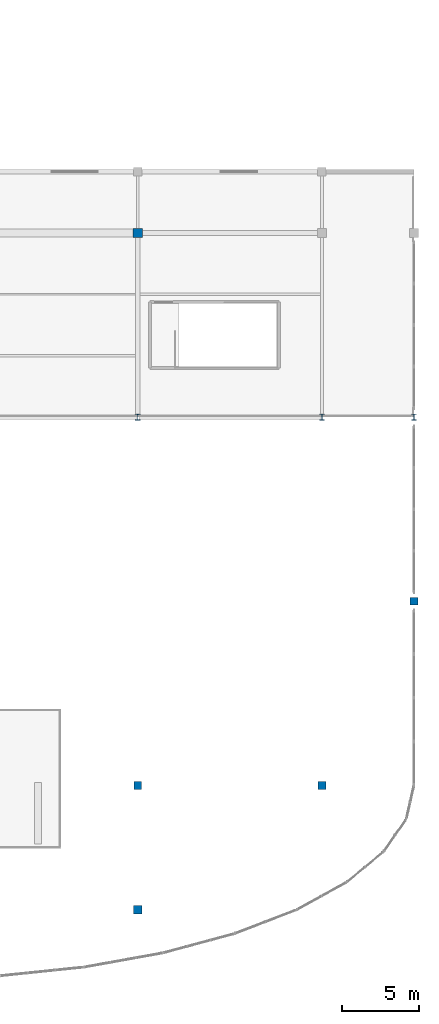
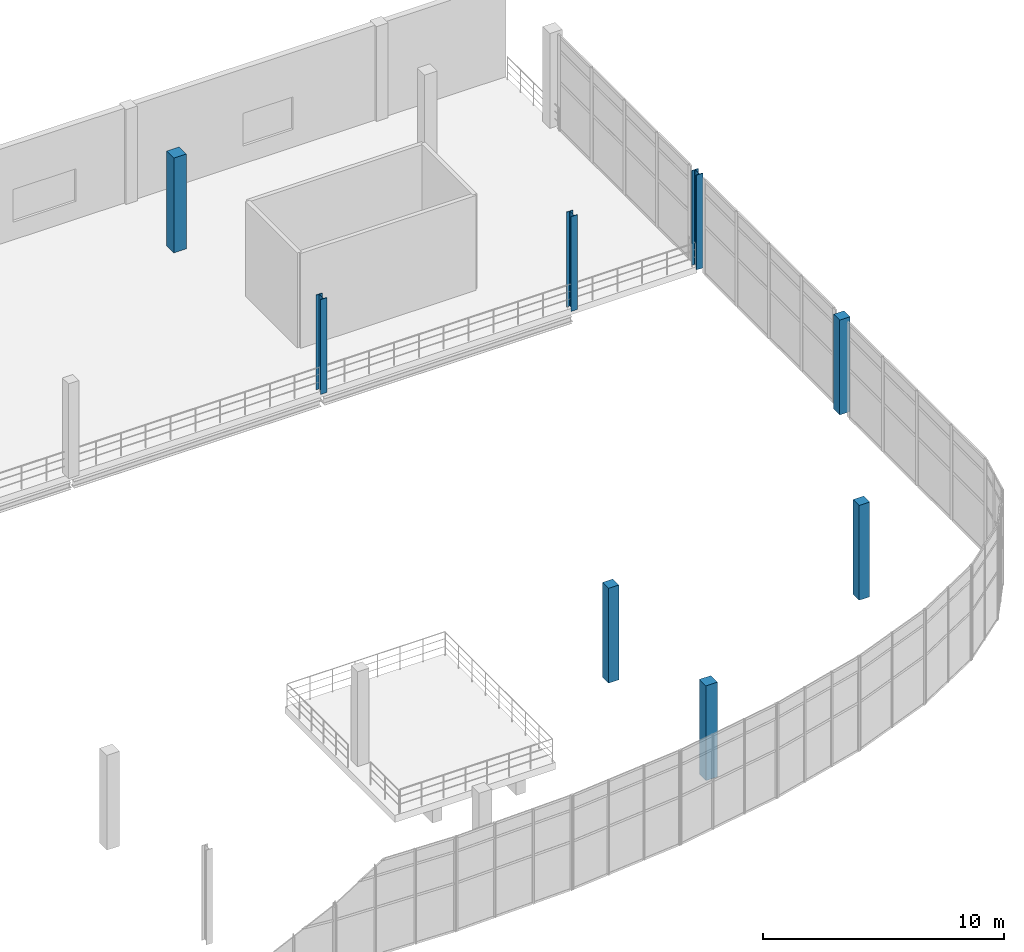
# One storey, part 14 of 52: 8 columns.
"""IFC4 building model written with IfcOpenShell, lengths in metres."""

from ifc_helpers import new_model, si_unit, direction, frame, origin, origin_2d, place, context, subcontext, project, spatial, rectangle, i_section, extrude, material, material_profile, profile_set, type_object, element, save


model = new_model("IFC4")

# Units and contexts
model_context = context("Model", 3, precision=1e-05, world=origin(), true_north=direction((0.0, 1.0)))
body_context = subcontext(model_context, "Body", "Model", "MODEL_VIEW")
ifc_project = project(units=[si_unit("LENGTHUNIT", "METRE"), si_unit("AREAUNIT", "SQUARE_METRE"), si_unit("VOLUMEUNIT", "CUBIC_METRE"), si_unit("PLANEANGLEUNIT", "RADIAN"), si_unit("MASSUNIT", "GRAM", prefix="KILO"), si_unit("THERMODYNAMICTEMPERATUREUNIT", "KELVIN"), si_unit("POWERUNIT", "WATT")], contexts=[model_context])

# Site, building, storey
site_placement = place(None, origin())
site = spatial("IfcSite", under=ifc_project, at=site_placement, CompositionType="ELEMENT")
building_placement = place(site_placement, origin())
building = spatial("IfcBuilding", under=site, at=building_placement, Name="Solmara Park Aquatics Centre", CompositionType="ELEMENT")
storey_placement = place(building_placement, frame((0.0, 0.0, 9.60009765625)))
storey = spatial("IfcBuildingStorey", under=building, at=storey_placement, Name="L02", CompositionType="ELEMENT", Elevation=9.60009765625)

# Columns
ifc_material_1 = material(Name="Structural Steel S355", Category="steel")
ifc_material_profile_1 = material_profile(ifc_material_1, i_section(OverallWidth=0.300048828125, OverallDepth=0.39990234375, WebThickness=0.013427734375, FlangeThickness=0.02392578125, FilletRadius=0.027099609375, at=origin_2d()), Name="HEB 400")
ifc_profile_set_1 = profile_set([ifc_material_profile_1], Name="Structural Steel S355")
column_type_1 = type_object("IfcColumnType", Name="STR-COL-HEB400", PredefinedType="COLUMN", material=ifc_profile_set_1)
for number, where, z_axis, x_axis, name in (
    (1, (144.0, 36.60009765625, 0.0), (0.0, 0.0, 1.0), (1.0, 0.0, 0.0), "Column L02-0552"),
    (2, (156.0, 36.60009765625, 0.0), (0.0, 0.0, 1.0), (1.0, 0.0, 0.0), "Column L02-0556"),
    (3, (162.0, 36.60009765625, 0.0), (0.0, 0.0, 1.0), (1.0, 0.0, 0.0), "Column L02-0560"),
):
    element("IfcColumn", number, at=place(storey_placement, frame(where, z_axis=z_axis, x_axis=x_axis)), inside=storey, type_object=column_type_1, Name=name, PredefinedType="COLUMN", context=body_context, shape_type="SweptSolid", body=[
        extrude(i_section(OverallWidth=0.300048828125, OverallDepth=0.39990234375, WebThickness=0.013427734375, FlangeThickness=0.02392578125, FilletRadius=0.027099609375, at=origin_2d()), origin(), (0.0, 0.0, 1.0), 4.7998046875),
    ])
ifc_material_2 = material(Name="Concrete C40/50", Category="concrete")
ifc_material_profile_2 = material_profile(ifc_material_2, rectangle(XDim=0.5, YDim=0.5, at=origin_2d()), Name="RC 500x500")
ifc_profile_set_2 = profile_set([ifc_material_profile_2], Name="Concrete C40/50")
column_type_2 = type_object("IfcColumnType", Name="STR-COL-RC500", PredefinedType="COLUMN", material=ifc_profile_set_2)
for number, where, z_axis, x_axis, name in (
    (4, (144.0, 12.60009765625, 0.0), (0.0, 0.0, 1.0), (1.0, 0.0, 0.0), "Column L02-0551"),
    (5, (156.0, 12.60009765625, 0.0), (0.0, 0.0, 1.0), (1.0, 0.0, 0.0), "Column L02-0555"),
    (6, (162.0, 24.60009765625, 0.0), (0.0, 0.0, 1.0), (1.0, 0.0, 0.0), "Column L02-0559"),
):
    element("IfcColumn", number, at=place(storey_placement, frame(where, z_axis=z_axis, x_axis=x_axis)), inside=storey, type_object=column_type_2, Name=name, PredefinedType="COLUMN", context=body_context, shape_type="SweptSolid", body=[
        extrude(rectangle(XDim=0.5, YDim=0.5, at=origin_2d()), origin(), (0.0, 0.0, 1.0), 4.7998046875),
    ])
ifc_material_profile_3 = material_profile(ifc_material_2, rectangle(XDim=0.550048828125, YDim=0.550048828125, at=origin_2d()), Name="RC 550x550")
ifc_profile_set_3 = profile_set([ifc_material_profile_3], Name="Concrete C40/50")
column_type_3 = type_object("IfcColumnType", Name="STR-COL-RC550", PredefinedType="COLUMN", material=ifc_profile_set_3)
column_1_placement = place(storey_placement, frame((144.0, 4.5, 0.0), z_axis=(0.0, 0.0, 1.0), x_axis=(1.0, 0.0, 0.0)))
element("IfcColumn", 7, at=column_1_placement, inside=storey, type_object=column_type_3, Name="Column L02-0550", PredefinedType="COLUMN", context=body_context, shape_type="SweptSolid", body=[
    extrude(rectangle(XDim=0.550048828125, YDim=0.550048828125, at=origin_2d()), origin(), (0.0, 0.0, 1.0), 4.7998046875),
])
ifc_material_profile_4 = material_profile(ifc_material_2, rectangle(XDim=0.60009765625, YDim=0.60009765625, at=origin_2d()), Name="RC 600x600")
ifc_profile_set_4 = profile_set([ifc_material_profile_4], Name="Concrete C40/50")
column_type_4 = type_object("IfcColumnType", Name="STR-COL-RC600", PredefinedType="COLUMN", material=ifc_profile_set_4)
column_2_placement = place(storey_placement, frame((144.0, 48.60009765625, 0.0), z_axis=(0.0, 0.0, 1.0), x_axis=(1.0, 0.0, 0.0)))
element("IfcColumn", 8, at=column_2_placement, inside=storey, type_object=column_type_4, Name="Column L02-0553", PredefinedType="COLUMN", context=body_context, shape_type="SweptSolid", body=[
    extrude(rectangle(XDim=0.60009765625, YDim=0.60009765625, at=origin_2d()), origin(), (0.0, 0.0, 1.0), 4.7998046875),
])

save(model, "model.ifc")
